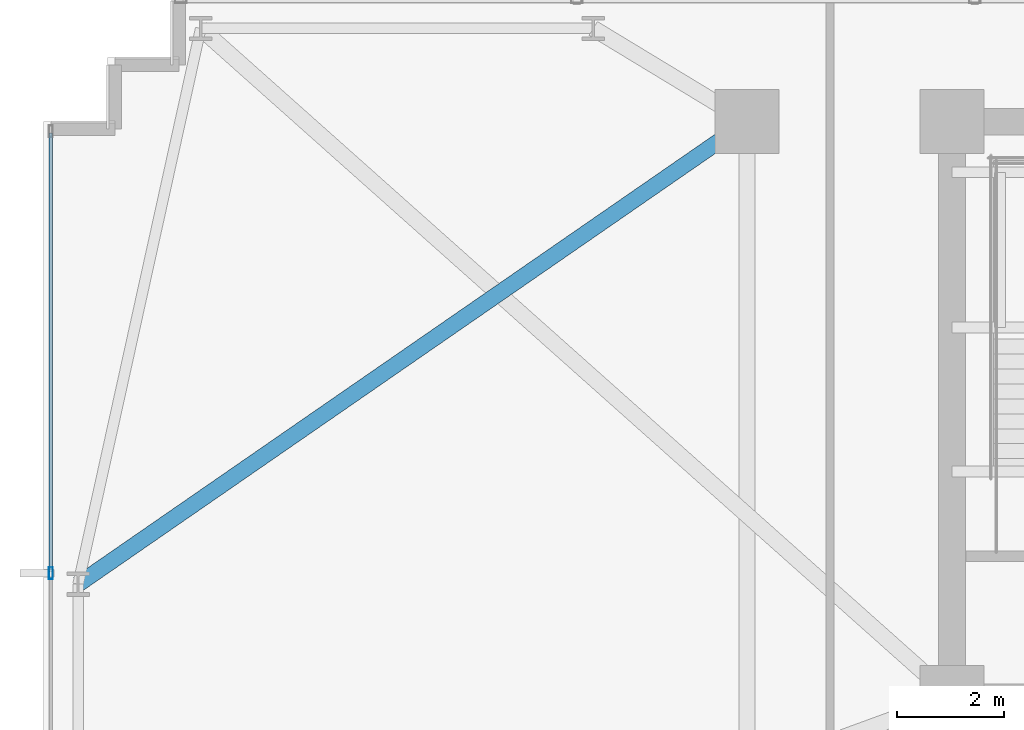
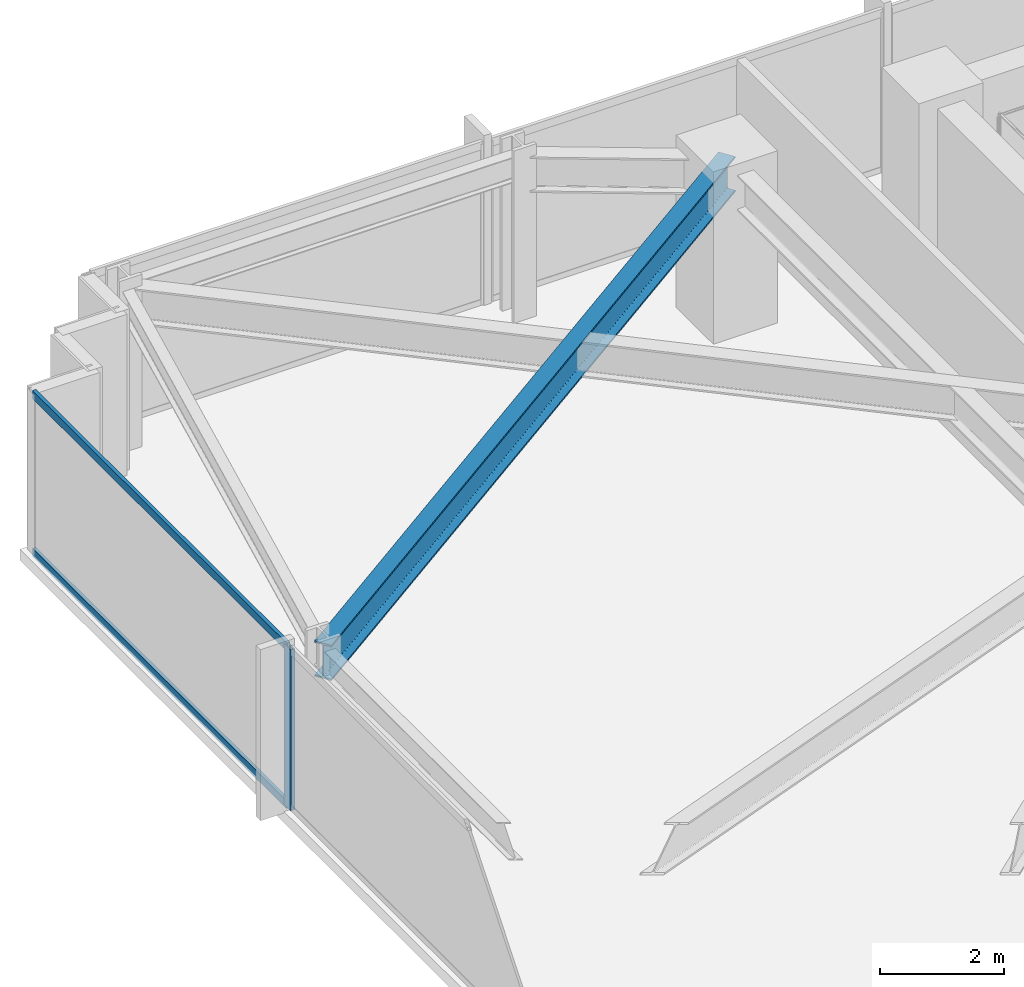
# One storey, part 9 of 33: 3 members, 1 beam, 1 element without a shape of its own.
"""IFC4 building model written with IfcOpenShell, lengths in metres."""

from ifc_helpers import new_model, si_unit, direction, frame, origin, origin_2d, place, context, subcontext, project, spatial, hollow_rectangle, i_section, extrude, material, material_profile, profile_set, type_object, element, aggregate, save


model = new_model("IFC4")

# Units and contexts
model_context = context("Model", 3, precision=1e-05, world=origin(), true_north=direction((0.0, 1.0)))
body_context = subcontext(model_context, "Body", "Model", "MODEL_VIEW")
ifc_project = project(units=[si_unit("LENGTHUNIT", "METRE"), si_unit("AREAUNIT", "SQUARE_METRE"), si_unit("VOLUMEUNIT", "CUBIC_METRE"), si_unit("PLANEANGLEUNIT", "RADIAN"), si_unit("MASSUNIT", "GRAM", prefix="KILO")], contexts=[model_context])

# Site, building, storey
site_placement = place(None, origin())
site = spatial("IfcSite", under=ifc_project, at=site_placement, CompositionType="ELEMENT")
building_placement = place(site_placement, origin())
building = spatial("IfcBuilding", under=site, at=building_placement, Name="Yelkora Congress Tower", CompositionType="ELEMENT")
storey_placement = place(building_placement, frame((0.0, 0.0, 71.199951171875)))
storey = spatial("IfcBuildingStorey", under=building, at=storey_placement, Name="L18", CompositionType="ELEMENT", Elevation=71.199951171875)

# Beam
ifc_material_1 = material(Name="Steel S355J2", Category="steel")
ifc_material_profile_1 = material_profile(ifc_material_1, i_section(OverallWidth=0.300048828125, OverallDepth=0.699951171875, WebThickness=0.01708984375, FlangeThickness=0.031982421875, FilletRadius=0.027099609375, at=origin_2d()), Name="HEB 700")
ifc_profile_set_1 = profile_set([ifc_material_profile_1], Name="Steel S355J2")
beam_type = type_object("IfcBeamType", Name="BM-GIRD-HEB700", PredefinedType="BEAM", material=ifc_profile_set_1)
beam_placement = place(storey_placement, frame((6.64990234375, 37.52490234375, 2.830078125), z_axis=(0.822604454175, 0.568614027238, 0.0), x_axis=(-0.568614027238, 0.822604454175, 0.0)))
element("IfcBeam", 1, at=beam_placement, inside=storey, type_object=beam_type, Name="L18 Primary Frame Girder W03", PredefinedType="BEAM", context=body_context, shape_type="SweptSolid", body=[
    extrude(i_section(OverallWidth=0.300048828125, OverallDepth=0.699951171875, WebThickness=0.01708984375, FlangeThickness=0.031982421875, FilletRadius=0.027099609375, at=origin_2d()), origin(), (0.0, 0.0, 1.0), 15.256591796875),
])

# Curtain wall, members
ifc_material_2 = material(Name="Anodised aluminium and insulated glass", Category="aluminium")
curtain_wall_type = type_object("IfcCurtainWallType", Name="CW-SYS-B1", PredefinedType="NOTDEFINED", material=ifc_material_2)
curtain_wall_placement = place(storey_placement, origin())
curtain_wall = element("IfcCurtainWall", 2, at=curtain_wall_placement, inside=storey, type_object=curtain_wall_type, Name="L18 Unitised Curtain Wall 5", PredefinedType="NOTDEFINED")
ifc_material_3 = material(Name="Anodised aluminium 6063-T6", Category="aluminium")
ifc_material_profile_2 = material_profile(ifc_material_3, hollow_rectangle(XDim=0.074951171875, YDim=0.219970703125, WallThickness=0.0048828125, at=origin_2d()), Name="ALU 75x220x5")
ifc_profile_set_2 = profile_set([ifc_material_profile_2], Name="Anodised aluminium 6063-T6")
member_type_1 = type_object("IfcMemberType", Name="MEM-ML-B1", PredefinedType="MULLION", material=ifc_profile_set_2)
member_1_placement = place(storey_placement, frame((6.139892578125, 37.72998046875, 0.0), z_axis=(0.0, 0.0, 1.0), x_axis=(-1.0, 0.0, 0.0)))
member_1 = element("IfcMember", 3, at=member_1_placement, type_object=member_type_1, Name="CW-B1 mullion 4", PredefinedType="MULLION", context=body_context, shape_type="SweptSolid", body=[
    extrude(hollow_rectangle(XDim=0.074951171875, YDim=0.219970703125, WallThickness=0.0048828125, at=origin_2d()), origin(), (0.0, 0.0, 1.0), 3.179931640625),
])
ifc_material_profile_3 = material_profile(ifc_material_3, hollow_rectangle(XDim=0.06494140625, YDim=0.159912109375, WallThickness=0.00390625, at=origin_2d()), Name="ALU 65x160x4")
ifc_profile_set_3 = profile_set([ifc_material_profile_3], Name="Anodised aluminium 6063-T6")
member_type_2 = type_object("IfcMemberType", Name="MEM-TR-B1", PredefinedType="USERDEFINED", material=ifc_profile_set_3)
member_2_placement = place(storey_placement, frame((6.139892578125, 37.767578125, 0.032470703125), z_axis=(0.0, 1.0, 0.0), x_axis=(-1.0, 0.0, 0.0)))
member_2 = element("IfcMember", 4, at=member_2_placement, type_object=member_type_2, Name="CW-B1 transom 4.1", ObjectType="TRANSOM", PredefinedType="USERDEFINED", context=body_context, shape_type="SweptSolid", body=[
    extrude(hollow_rectangle(XDim=0.06494140625, YDim=0.159912109375, WallThickness=0.00390625, at=origin_2d()), origin(), (0.0, 0.0, 1.0), 8.217529296875),
])
member_3_placement = place(storey_placement, frame((6.139892578125, 37.767578125, 3.1474609375), z_axis=(0.0, 1.0, 0.0), x_axis=(-1.0, 0.0, 0.0)))
member_3 = element("IfcMember", 5, at=member_3_placement, type_object=member_type_2, Name="CW-B1 transom 4.2", ObjectType="TRANSOM", PredefinedType="USERDEFINED", context=body_context, shape_type="SweptSolid", body=[
    extrude(hollow_rectangle(XDim=0.06494140625, YDim=0.159912109375, WallThickness=0.00390625, at=origin_2d()), origin(), (0.0, 0.0, 1.0), 8.217529296875),
])
aggregate(curtain_wall, [member_1, member_2, member_3])

save(model, "model.ifc")
